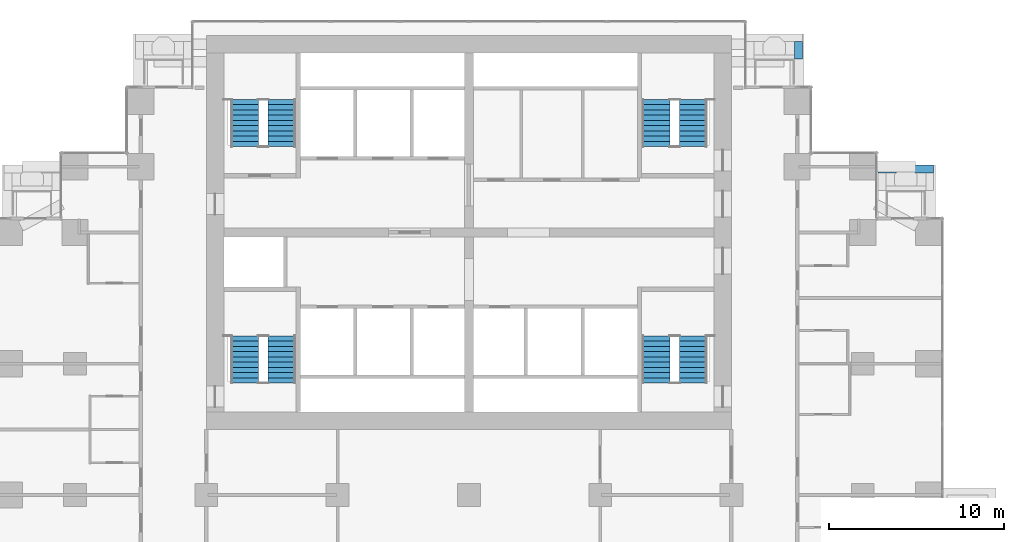
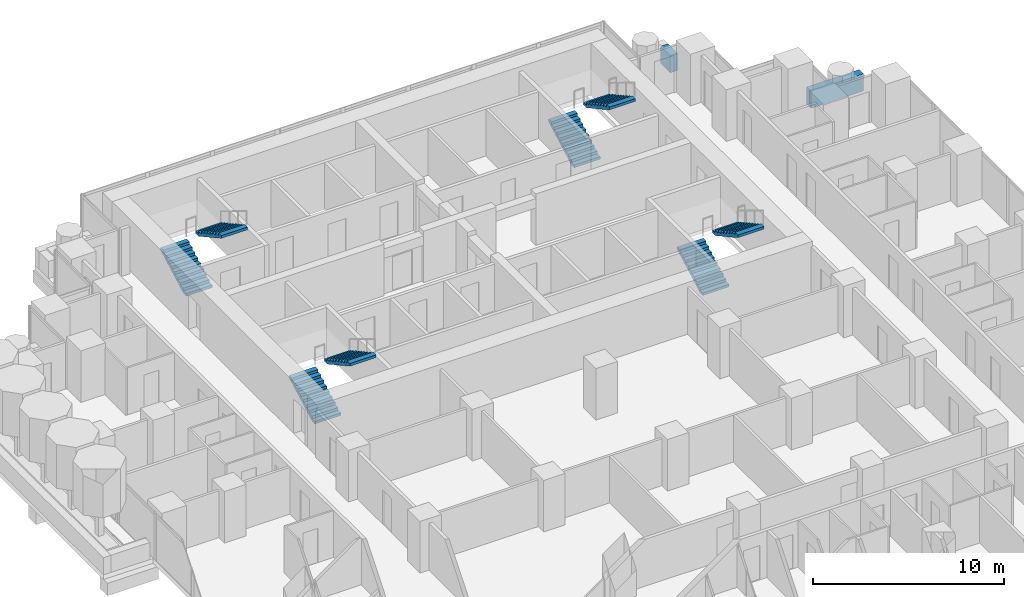
# One storey, part 16 of 19: 8 stair flights, 2 walls, 4 elements without a shape of their own.
"""IFC4 building model written with IfcOpenShell, lengths in metres."""

from ifc_helpers import new_model, si_unit, direction, frame, frame_2d, origin, place, context, subcontext, project, spatial, polyline, rectangle, outline, extrude, material, layer, layer_set, type_object, element, aggregate, save


model = new_model("IFC4")

# Units and contexts
model_context = context("Model", 3, precision=1e-05, world=origin(), true_north=direction((0.0, 1.0)))
body_context = subcontext(model_context, "Body", "Model", "MODEL_VIEW")
ifc_project = project(units=[si_unit("LENGTHUNIT", "METRE"), si_unit("AREAUNIT", "SQUARE_METRE"), si_unit("VOLUMEUNIT", "CUBIC_METRE"), si_unit("PLANEANGLEUNIT", "RADIAN"), si_unit("MASSUNIT", "GRAM", prefix="KILO")], contexts=[model_context])

# Site, building, storey
site_placement = place(None, origin())
site = spatial("IfcSite", under=ifc_project, at=site_placement, CompositionType="ELEMENT")
building_placement = place(site_placement, origin())
building = spatial("IfcBuilding", under=site, at=building_placement, Name="Pilkhan Gate Tower", CompositionType="ELEMENT")
storey_placement = place(building_placement, frame((0.0, 0.0, 95.60009765625)))
storey = spatial("IfcBuildingStorey", under=building, at=storey_placement, Name="L23", CompositionType="ELEMENT", Elevation=95.60009765625)

# Walls
ifc_material_1 = material(Name="Board-marked Concrete C40/50", Category="concrete")
ifc_layer = layer(ifc_material_1, 0.449951171875)
ifc_layer_set = layer_set([ifc_layer], Name="Balcony planter lip BL450")
wall_type = type_object("IfcWallType", Name="Balcony planter lip BL450", PredefinedType="USERDEFINED", material=ifc_layer_set)
wall_1_placement = place(storey_placement, frame((93.824951171875, 92.39990234375, 0.0), z_axis=(0.0, 0.0, 1.0), x_axis=(0.0, 1.0, 0.0)))
element("IfcWall", 1, at=wall_1_placement, inside=storey, type_object=wall_type, Name="Balcony planter L23 N", ObjectType="BALCONY PLANTER", PredefinedType="USERDEFINED", context=body_context, shape_type="SweptSolid", body=[
    extrude(rectangle(XDim=1.0, YDim=0.449951171875, at=frame_2d((0.5, 0.0))), origin(), (0.0, 0.0, 1.0), 1.099853515625),
])
wall_2_placement = place(storey_placement, frame((98.3701171875, 86.125, 0.0), z_axis=(0.0, 0.0, 1.0), x_axis=(1.0, 0.0, 0.0)))
element("IfcWall", 2, at=wall_2_placement, inside=storey, type_object=wall_type, Name="Balcony planter L23 N", ObjectType="BALCONY PLANTER", PredefinedType="USERDEFINED", context=body_context, shape_type="SweptSolid", body=[
    extrude(rectangle(XDim=3.179931640625, YDim=0.449951171875, at=frame_2d((1.58984375, 0.0))), origin(), (0.0, 0.0, 1.0), 1.099853515625),
])

# Stair, stair flights
ifc_material_2 = material(Name="Concrete C40/50 precast", Category="concrete")
stair_type_1 = type_object("IfcStairType", Name="Stair ST1 165x300", PredefinedType="HALF_TURN_STAIR", material=ifc_material_2)
stair_1_placement = place(storey_placement, origin())
stair_1 = element("IfcStair", 3, at=stair_1_placement, inside=storey, type_object=stair_type_1, Name="Stair ST1 L23", PredefinedType="HALF_TURN_STAIR")
stair_flight_type_1 = type_object("IfcStairFlightType", Name="Stair flight ST1 165x300x10", PredefinedType="STRAIGHT", material=ifc_material_2)
stair_flight_1_placement = place(storey_placement, frame((85.68994140625, 73.89990234375, 0.0), z_axis=(0.0, 0.0, 1.0), x_axis=(0.0, 1.0, 0.0)))
stair_flight_1 = element("IfcStairFlight", 4, at=stair_flight_1_placement, type_object=stair_flight_type_1, Name="ST1 flight 1", NumberOfRisers=10, NumberOfTreads=9, PredefinedType="STRAIGHT", RiserHeight=0.165, TreadLength=0.3, context=body_context, shape_type="SweptSolid", body=[
    extrude(outline(polyline([(0.0, 0.0), (0.0, 0.1650390625), (0.300048828125, 0.1650390625), (0.300048828125, 0.330078125), (0.60009765625, 0.330078125), (0.60009765625, 0.4951171875), (0.89990234375, 0.4951171875), (0.89990234375, 0.659912109375), (1.199951171875, 0.659912109375), (1.199951171875, 0.824951171875), (1.5, 0.824951171875), (1.5, 0.989990234375), (1.800048828125, 0.989990234375), (1.800048828125, 1.155029296875), (2.10009765625, 1.155029296875), (2.10009765625, 1.320068359375), (2.39990234375, 1.320068359375), (2.39990234375, 1.485107421875), (2.699951171875, 1.485107421875), (2.699951171875, 1.64990234375), (2.699951171875, 1.31396484375), (0.31103515625, 0.0), (0.0, 0.0)])), frame((0.0, 0.7900390625, 0.0), z_axis=(0.0, -1.0, 0.0), x_axis=(1.0, 0.0, 0.0)), (0.0, 0.0, 1.0), 1.580078125),
])
stair_flight_2_placement = place(storey_placement, frame((87.81005859375, 76.60009765625, 1.64990234375), z_axis=(0.0, 0.0, 1.0), x_axis=(0.0, -1.0, 0.0)))
stair_flight_2 = element("IfcStairFlight", 5, at=stair_flight_2_placement, type_object=stair_flight_type_1, Name="ST1 flight 2", NumberOfRisers=10, NumberOfTreads=9, PredefinedType="STRAIGHT", RiserHeight=0.165, TreadLength=0.3, context=body_context, shape_type="SweptSolid", body=[
    extrude(outline(polyline([(0.0, 0.0), (0.0, 0.1650390625), (0.300048828125, 0.1650390625), (0.300048828125, 0.330078125), (0.60009765625, 0.330078125), (0.60009765625, 0.4951171875), (0.89990234375, 0.4951171875), (0.89990234375, 0.659912109375), (1.199951171875, 0.659912109375), (1.199951171875, 0.824951171875), (1.5, 0.824951171875), (1.5, 0.989990234375), (1.800048828125, 0.989990234375), (1.800048828125, 1.155029296875), (2.10009765625, 1.155029296875), (2.10009765625, 1.320068359375), (2.39990234375, 1.320068359375), (2.39990234375, 1.485107421875), (2.699951171875, 1.485107421875), (2.699951171875, 1.64990234375), (2.699951171875, 1.31396484375), (0.31103515625, 0.0), (0.0, 0.0)])), frame((0.0, 0.7900390625, 0.0), z_axis=(0.0, -1.0, 0.0), x_axis=(1.0, 0.0, 0.0)), (0.0, 0.0, 1.0), 1.580078125),
])
aggregate(stair_1, [stair_flight_1, stair_flight_2])

stair_type_2 = type_object("IfcStairType", Name="Stair ST2 165x300", PredefinedType="HALF_TURN_STAIR", material=ifc_material_2)
stair_2_placement = place(storey_placement, origin())
stair_2 = element("IfcStair", 6, at=stair_2_placement, inside=storey, type_object=stair_type_2, Name="Stair ST2 L23", PredefinedType="HALF_TURN_STAIR")
stair_flight_type_2 = type_object("IfcStairFlightType", Name="Stair flight ST2 165x300x10", PredefinedType="STRAIGHT", material=ifc_material_2)
stair_flight_3_placement = place(storey_placement, frame((62.18994140625, 73.89990234375, 0.0), z_axis=(0.0, 0.0, 1.0), x_axis=(0.0, 1.0, 0.0)))
stair_flight_3 = element("IfcStairFlight", 7, at=stair_flight_3_placement, type_object=stair_flight_type_2, Name="ST2 flight 1", NumberOfRisers=10, NumberOfTreads=9, PredefinedType="STRAIGHT", RiserHeight=0.165, TreadLength=0.3, context=body_context, shape_type="SweptSolid", body=[
    extrude(outline(polyline([(0.0, 0.0), (0.0, 0.1650390625), (0.300048828125, 0.1650390625), (0.300048828125, 0.330078125), (0.60009765625, 0.330078125), (0.60009765625, 0.4951171875), (0.89990234375, 0.4951171875), (0.89990234375, 0.659912109375), (1.199951171875, 0.659912109375), (1.199951171875, 0.824951171875), (1.5, 0.824951171875), (1.5, 0.989990234375), (1.800048828125, 0.989990234375), (1.800048828125, 1.155029296875), (2.10009765625, 1.155029296875), (2.10009765625, 1.320068359375), (2.39990234375, 1.320068359375), (2.39990234375, 1.485107421875), (2.699951171875, 1.485107421875), (2.699951171875, 1.64990234375), (2.699951171875, 1.31396484375), (0.31103515625, 0.0), (0.0, 0.0)])), frame((0.0, 0.7900390625, 0.0), z_axis=(0.0, -1.0, 0.0), x_axis=(1.0, 0.0, 0.0)), (0.0, 0.0, 1.0), 1.580078125),
])
stair_flight_4_placement = place(storey_placement, frame((64.31005859375, 76.60009765625, 1.64990234375), z_axis=(0.0, 0.0, 1.0), x_axis=(0.0, -1.0, 0.0)))
stair_flight_4 = element("IfcStairFlight", 8, at=stair_flight_4_placement, type_object=stair_flight_type_2, Name="ST2 flight 2", NumberOfRisers=10, NumberOfTreads=9, PredefinedType="STRAIGHT", RiserHeight=0.165, TreadLength=0.3, context=body_context, shape_type="SweptSolid", body=[
    extrude(outline(polyline([(0.0, 0.0), (0.0, 0.1650390625), (0.300048828125, 0.1650390625), (0.300048828125, 0.330078125), (0.60009765625, 0.330078125), (0.60009765625, 0.4951171875), (0.89990234375, 0.4951171875), (0.89990234375, 0.659912109375), (1.199951171875, 0.659912109375), (1.199951171875, 0.824951171875), (1.5, 0.824951171875), (1.5, 0.989990234375), (1.800048828125, 0.989990234375), (1.800048828125, 1.155029296875), (2.10009765625, 1.155029296875), (2.10009765625, 1.320068359375), (2.39990234375, 1.320068359375), (2.39990234375, 1.485107421875), (2.699951171875, 1.485107421875), (2.699951171875, 1.64990234375), (2.699951171875, 1.31396484375), (0.31103515625, 0.0), (0.0, 0.0)])), frame((0.0, 0.7900390625, 0.0), z_axis=(0.0, -1.0, 0.0), x_axis=(1.0, 0.0, 0.0)), (0.0, 0.0, 1.0), 1.580078125),
])
aggregate(stair_2, [stair_flight_3, stair_flight_4])

stair_type_3 = type_object("IfcStairType", Name="Stair ST3 165x300", PredefinedType="HALF_TURN_STAIR", material=ifc_material_2)
stair_3_placement = place(storey_placement, origin())
stair_3 = element("IfcStair", 9, at=stair_3_placement, inside=storey, type_object=stair_type_3, Name="Stair ST3 L23", PredefinedType="HALF_TURN_STAIR")
stair_flight_type_3 = type_object("IfcStairFlightType", Name="Stair flight ST3 165x300x10", PredefinedType="STRAIGHT", material=ifc_material_2)
stair_flight_5_placement = place(storey_placement, frame((62.18994140625, 87.39990234375, 0.0), z_axis=(0.0, 0.0, 1.0), x_axis=(0.0, 1.0, 0.0)))
stair_flight_5 = element("IfcStairFlight", 10, at=stair_flight_5_placement, type_object=stair_flight_type_3, Name="ST3 flight 1", NumberOfRisers=10, NumberOfTreads=9, PredefinedType="STRAIGHT", RiserHeight=0.165, TreadLength=0.3, context=body_context, shape_type="SweptSolid", body=[
    extrude(outline(polyline([(0.0, 0.0), (0.0, 0.1650390625), (0.300048828125, 0.1650390625), (0.300048828125, 0.330078125), (0.60009765625, 0.330078125), (0.60009765625, 0.4951171875), (0.89990234375, 0.4951171875), (0.89990234375, 0.659912109375), (1.199951171875, 0.659912109375), (1.199951171875, 0.824951171875), (1.5, 0.824951171875), (1.5, 0.989990234375), (1.800048828125, 0.989990234375), (1.800048828125, 1.155029296875), (2.10009765625, 1.155029296875), (2.10009765625, 1.320068359375), (2.39990234375, 1.320068359375), (2.39990234375, 1.485107421875), (2.699951171875, 1.485107421875), (2.699951171875, 1.64990234375), (2.699951171875, 1.31396484375), (0.31103515625, 0.0), (0.0, 0.0)])), frame((0.0, 0.7900390625, 0.0), z_axis=(0.0, -1.0, 0.0), x_axis=(1.0, 0.0, 0.0)), (0.0, 0.0, 1.0), 1.580078125),
])
stair_flight_6_placement = place(storey_placement, frame((64.31005859375, 90.10009765625, 1.64990234375), z_axis=(0.0, 0.0, 1.0), x_axis=(0.0, -1.0, 0.0)))
stair_flight_6 = element("IfcStairFlight", 11, at=stair_flight_6_placement, type_object=stair_flight_type_3, Name="ST3 flight 2", NumberOfRisers=10, NumberOfTreads=9, PredefinedType="STRAIGHT", RiserHeight=0.165, TreadLength=0.3, context=body_context, shape_type="SweptSolid", body=[
    extrude(outline(polyline([(0.0, 0.0), (0.0, 0.1650390625), (0.300048828125, 0.1650390625), (0.300048828125, 0.330078125), (0.60009765625, 0.330078125), (0.60009765625, 0.4951171875), (0.89990234375, 0.4951171875), (0.89990234375, 0.659912109375), (1.199951171875, 0.659912109375), (1.199951171875, 0.824951171875), (1.5, 0.824951171875), (1.5, 0.989990234375), (1.800048828125, 0.989990234375), (1.800048828125, 1.155029296875), (2.10009765625, 1.155029296875), (2.10009765625, 1.320068359375), (2.39990234375, 1.320068359375), (2.39990234375, 1.485107421875), (2.699951171875, 1.485107421875), (2.699951171875, 1.64990234375), (2.699951171875, 1.31396484375), (0.31103515625, 0.0), (0.0, 0.0)])), frame((0.0, 0.7900390625, 0.0), z_axis=(0.0, -1.0, 0.0), x_axis=(1.0, 0.0, 0.0)), (0.0, 0.0, 1.0), 1.580078125),
])
aggregate(stair_3, [stair_flight_5, stair_flight_6])

stair_type_4 = type_object("IfcStairType", Name="Stair ST4 165x300", PredefinedType="HALF_TURN_STAIR", material=ifc_material_2)
stair_4_placement = place(storey_placement, origin())
stair_4 = element("IfcStair", 12, at=stair_4_placement, inside=storey, type_object=stair_type_4, Name="Stair ST4 L23", PredefinedType="HALF_TURN_STAIR")
stair_flight_type_4 = type_object("IfcStairFlightType", Name="Stair flight ST4 165x300x10", PredefinedType="STRAIGHT", material=ifc_material_2)
stair_flight_7_placement = place(storey_placement, frame((85.68994140625, 87.39990234375, 0.0), z_axis=(0.0, 0.0, 1.0), x_axis=(0.0, 1.0, 0.0)))
stair_flight_7 = element("IfcStairFlight", 13, at=stair_flight_7_placement, type_object=stair_flight_type_4, Name="ST4 flight 1", NumberOfRisers=10, NumberOfTreads=9, PredefinedType="STRAIGHT", RiserHeight=0.165, TreadLength=0.3, context=body_context, shape_type="SweptSolid", body=[
    extrude(outline(polyline([(0.0, 0.0), (0.0, 0.1650390625), (0.300048828125, 0.1650390625), (0.300048828125, 0.330078125), (0.60009765625, 0.330078125), (0.60009765625, 0.4951171875), (0.89990234375, 0.4951171875), (0.89990234375, 0.659912109375), (1.199951171875, 0.659912109375), (1.199951171875, 0.824951171875), (1.5, 0.824951171875), (1.5, 0.989990234375), (1.800048828125, 0.989990234375), (1.800048828125, 1.155029296875), (2.10009765625, 1.155029296875), (2.10009765625, 1.320068359375), (2.39990234375, 1.320068359375), (2.39990234375, 1.485107421875), (2.699951171875, 1.485107421875), (2.699951171875, 1.64990234375), (2.699951171875, 1.31396484375), (0.31103515625, 0.0), (0.0, 0.0)])), frame((0.0, 0.7900390625, 0.0), z_axis=(0.0, -1.0, 0.0), x_axis=(1.0, 0.0, 0.0)), (0.0, 0.0, 1.0), 1.580078125),
])
stair_flight_8_placement = place(storey_placement, frame((87.81005859375, 90.10009765625, 1.64990234375), z_axis=(0.0, 0.0, 1.0), x_axis=(0.0, -1.0, 0.0)))
stair_flight_8 = element("IfcStairFlight", 14, at=stair_flight_8_placement, type_object=stair_flight_type_4, Name="ST4 flight 2", NumberOfRisers=10, NumberOfTreads=9, PredefinedType="STRAIGHT", RiserHeight=0.165, TreadLength=0.3, context=body_context, shape_type="SweptSolid", body=[
    extrude(outline(polyline([(0.0, 0.0), (0.0, 0.1650390625), (0.300048828125, 0.1650390625), (0.300048828125, 0.330078125), (0.60009765625, 0.330078125), (0.60009765625, 0.4951171875), (0.89990234375, 0.4951171875), (0.89990234375, 0.659912109375), (1.199951171875, 0.659912109375), (1.199951171875, 0.824951171875), (1.5, 0.824951171875), (1.5, 0.989990234375), (1.800048828125, 0.989990234375), (1.800048828125, 1.155029296875), (2.10009765625, 1.155029296875), (2.10009765625, 1.320068359375), (2.39990234375, 1.320068359375), (2.39990234375, 1.485107421875), (2.699951171875, 1.485107421875), (2.699951171875, 1.64990234375), (2.699951171875, 1.31396484375), (0.31103515625, 0.0), (0.0, 0.0)])), frame((0.0, 0.7900390625, 0.0), z_axis=(0.0, -1.0, 0.0), x_axis=(1.0, 0.0, 0.0)), (0.0, 0.0, 1.0), 1.580078125),
])
aggregate(stair_4, [stair_flight_7, stair_flight_8])

save(model, "model.ifc")
